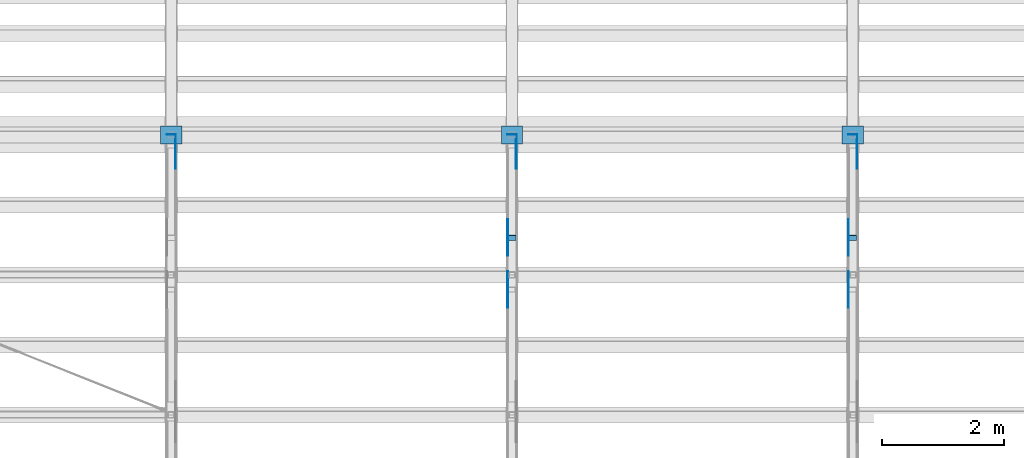
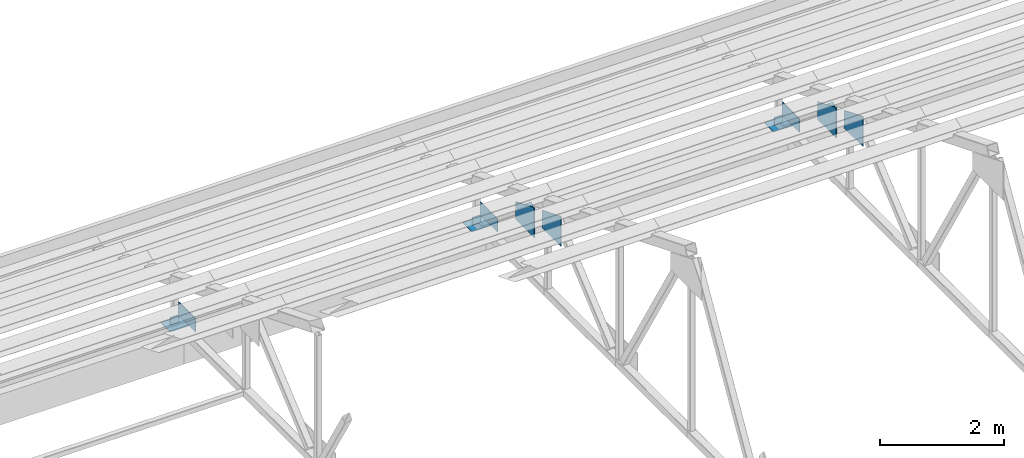
# One storey, part 56 of 71: 15 discrete accessories.
"""IFC4 building model written with IfcOpenShell, lengths in metres."""

from ifc_helpers import new_model, si_unit, direction, frame, origin, origin_2d, place, context, subcontext, project, spatial, polyline, rectangle, outline, extrude, element, save


model = new_model("IFC4")

# Units and contexts
model_context = context("Model", 3, precision=1e-05, world=origin(), true_north=direction((0.0, 1.0)))
body_context = subcontext(model_context, "Body", "Model", "MODEL_VIEW")
ifc_project = project(units=[si_unit("LENGTHUNIT", "METRE"), si_unit("AREAUNIT", "SQUARE_METRE"), si_unit("VOLUMEUNIT", "CUBIC_METRE"), si_unit("PLANEANGLEUNIT", "RADIAN"), si_unit("MASSUNIT", "GRAM", prefix="KILO")], contexts=[model_context])

# Site, building, storey
site_placement = place(None, origin())
site = spatial("IfcSite", under=ifc_project, at=site_placement, CompositionType="ELEMENT")
building_placement = place(site_placement, origin())
building = spatial("IfcBuilding", under=site, at=building_placement, Name="Wasatch Bagh Community Centre", CompositionType="ELEMENT")
storey_placement = place(building_placement, frame((0.0, 0.0, 12.60009765625)))
storey = spatial("IfcBuildingStorey", under=building, at=storey_placement, Name="L03", CompositionType="ELEMENT", Elevation=12.60009765625)

# Discrete accessories
for number, where, z_axis, x_axis, name in (
    (1, (117.800048828125, 65.800048828125, 0.68603515625), (0.0, 1.0, 0.0), (-1.0, 0.0, 0.0), "SH.SA2.BC12.EPB"),
    (2, (123.39990234375, 65.800048828125, 0.68603515625), (0.0, 1.0, 0.0), (-1.0, 0.0, 0.0), "SH.SA3.BC12.EPB"),
):
    element("IfcDiscreteAccessory", number, at=place(storey_placement, frame(where, z_axis=z_axis, x_axis=x_axis)), inside=storey, Name=name, PredefinedType="NOTDEFINED", context=body_context, shape_type="SweptSolid", body=[
        extrude(rectangle(XDim=0.15234375, YDim=0.15234375, at=origin_2d()), origin(), (0.0, 0.0, 1.0), 0.011962890625),
    ])
discrete_accessory_1_placement = place(storey_placement, frame((123.39990234375, 64.114990234375, 1.971923828125), z_axis=(0.0, -0.774865020772, 0.632126727472), x_axis=(1.0, 0.0, 0.0)))
element("IfcDiscreteAccessory", 3, at=discrete_accessory_1_placement, inside=storey, Name="SH.SA3.WB12.EPB", PredefinedType="NOTDEFINED", context=body_context, shape_type="SweptSolid", body=[
    extrude(rectangle(XDim=0.126953125, YDim=0.126953125, at=origin_2d()), origin(), (0.0, 0.0, 1.0), 0.011962890625),
])
discrete_accessory_2_placement = place(storey_placement, frame((129.0, 65.800048828125, 0.68603515625), z_axis=(0.0, 1.0, 0.0), x_axis=(-1.0, 0.0, 0.0)))
element("IfcDiscreteAccessory", 4, at=discrete_accessory_2_placement, inside=storey, Name="SH.SA4.BC12.EPB", PredefinedType="NOTDEFINED", context=body_context, shape_type="SweptSolid", body=[
    extrude(rectangle(XDim=0.15234375, YDim=0.15234375, at=origin_2d()), origin(), (0.0, 0.0, 1.0), 0.011962890625),
])
discrete_accessory_3_placement = place(storey_placement, frame((129.0, 64.114990234375, 1.971923828125), z_axis=(0.0, -0.774865020772, 0.632126727472), x_axis=(1.0, 0.0, 0.0)))
element("IfcDiscreteAccessory", 5, at=discrete_accessory_3_placement, inside=storey, Name="SH.SA4.WB12.EPB", PredefinedType="NOTDEFINED", context=body_context, shape_type="SweptSolid", body=[
    extrude(rectangle(XDim=0.126953125, YDim=0.126953125, at=origin_2d()), origin(), (0.0, 0.0, 1.0), 0.011962890625),
])
for number, where, z_axis, x_axis, name in (
    (6, (117.8759765625, 65.241455078125, 0.7626953125), (1.0, 0.0, 0.0), (0.0, 1.0, 0.0), "Gusset plate"),
    (7, (123.47607421875, 65.241455078125, 0.7626953125), (1.0, 0.0, 0.0), (0.0, 1.0, 0.0), "Gusset plate"),
):
    element("IfcDiscreteAccessory", number, at=place(storey_placement, frame(where, z_axis=z_axis, x_axis=x_axis)), inside=storey, Name=name, PredefinedType="BRACKET", context=body_context, shape_type="SweptSolid", body=[
        extrude(outline(polyline([(0.0, 0.0), (0.55859375, 0.0), (0.55859375, 0.264892578125), (0.0, 0.264892578125), (0.0, 0.0)])), origin(), (0.0, 0.0, -1.0), 0.011962890625),
    ])
discrete_accessory_4_placement = place(storey_placement, frame((123.323974609375, 62.958740234375, 2.508056640625), z_axis=(-1.0, 0.0, 0.0), x_axis=(0.0, 0.925978809353, -0.377575482028)))
element("IfcDiscreteAccessory", 8, at=discrete_accessory_4_placement, inside=storey, Name="Gusset plate", PredefinedType="BRACKET", context=body_context, shape_type="SweptSolid", body=[
    extrude(outline(polyline([(0.0, 0.0), (0.5845271621312353, -2.7755575615628914e-17), (0.6477253398659776, -0.00019486601058962827), (0.7799136311813485, 0.3239881448811994), (0.22446198699646316, 0.5504781251893349), (0.0, 0.0)])), origin(), (0.0, 0.0, -1.0), 0.011962890625),
])
discrete_accessory_5_placement = place(storey_placement, frame((123.323974609375, 63.81494140625, 2.1591796875), z_axis=(-1.0, 0.0, 0.0), x_axis=(0.0, 0.926014333695, -0.377488349212)))
element("IfcDiscreteAccessory", 9, at=discrete_accessory_5_placement, inside=storey, Name="Gusset plate", PredefinedType="BRACKET", context=body_context, shape_type="SweptSolid", body=[
    extrude(outline(polyline([(0.0, 0.0), (0.6480435932943203, -2.7755575615628914e-17), (0.7801092193735699, 0.3239693701624707), (0.22441018806906693, 0.5504992437861941), (0.0, 0.0)])), origin(), (0.0, 0.0, -1.0), 0.011962890625),
])
discrete_accessory_6_placement = place(storey_placement, frame((129.075927734375, 65.241455078125, 0.7626953125), z_axis=(1.0, 0.0, 0.0), x_axis=(0.0, 1.0, 0.0)))
element("IfcDiscreteAccessory", 10, at=discrete_accessory_6_placement, inside=storey, Name="Gusset plate", PredefinedType="BRACKET", context=body_context, shape_type="SweptSolid", body=[
    extrude(outline(polyline([(0.0, 0.0), (0.55859375, 0.0), (0.55859375, 0.264892578125), (0.0, 0.264892578125), (0.0, 0.0)])), origin(), (0.0, 0.0, -1.0), 0.011962890625),
])
discrete_accessory_7_placement = place(storey_placement, frame((128.924072265625, 62.958740234375, 2.508056640625), z_axis=(-1.0, 0.0, 0.0), x_axis=(0.0, 0.925978809353, -0.377575482028)))
element("IfcDiscreteAccessory", 11, at=discrete_accessory_7_placement, inside=storey, Name="Gusset plate", PredefinedType="BRACKET", context=body_context, shape_type="SweptSolid", body=[
    extrude(outline(polyline([(0.0, 0.0), (0.5845271621312353, -2.7755575615628914e-17), (0.6477253398659776, -0.00019486601058962827), (0.7799136311813485, 0.3239881448811994), (0.22446198699646316, 0.5504781251893349), (0.0, 0.0)])), origin(), (0.0, 0.0, -1.0), 0.011962890625),
])
discrete_accessory_8_placement = place(storey_placement, frame((128.924072265625, 63.81494140625, 2.1591796875), z_axis=(-1.0, 0.0, 0.0), x_axis=(0.0, 0.926014333695, -0.377488349212)))
element("IfcDiscreteAccessory", 12, at=discrete_accessory_8_placement, inside=storey, Name="Gusset plate", PredefinedType="BRACKET", context=body_context, shape_type="SweptSolid", body=[
    extrude(outline(polyline([(0.0, 0.0), (0.6480435932943203, -2.7755575615628914e-17), (0.7801092193735699, 0.3239693701624707), (0.22441018806906693, 0.5504992437861941), (0.0, 0.0)])), origin(), (0.0, 0.0, -1.0), 0.011962890625),
])
for number, where, z_axis, x_axis, name in (
    (13, (117.800048828125, 65.800048828125, 0.60009765625), (0.0, 0.0, 1.0), (1.0, 0.0, 0.0), "Bearing plate"),
    (14, (123.39990234375, 65.800048828125, 0.60009765625), (0.0, 0.0, 1.0), (1.0, 0.0, 0.0), "Bearing plate"),
    (15, (129.0, 65.800048828125, 0.60009765625), (0.0, 0.0, 1.0), (1.0, 0.0, 0.0), "Bearing plate"),
):
    element("IfcDiscreteAccessory", number, at=place(storey_placement, frame(where, z_axis=z_axis, x_axis=x_axis)), inside=storey, Name=name, PredefinedType="BRACKET", context=body_context, shape_type="SweptSolid", body=[
        extrude(rectangle(XDim=0.35009765625, YDim=0.300048828125, at=origin_2d()), origin(), (0.0, 0.0, 1.0), 0.010009765625),
    ])

save(model, "model.ifc")
